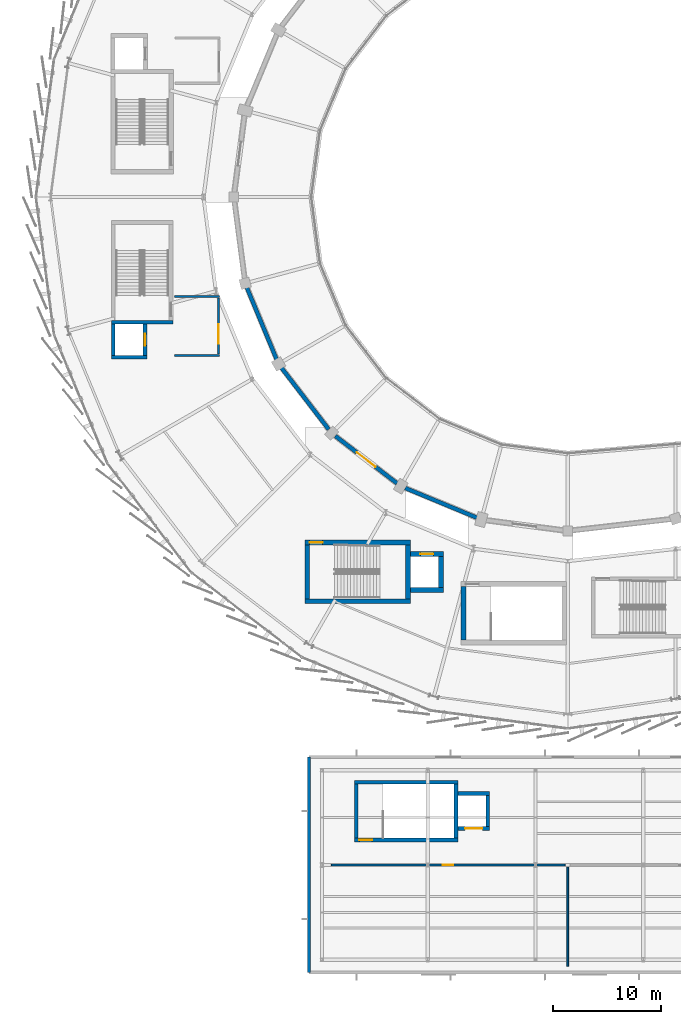
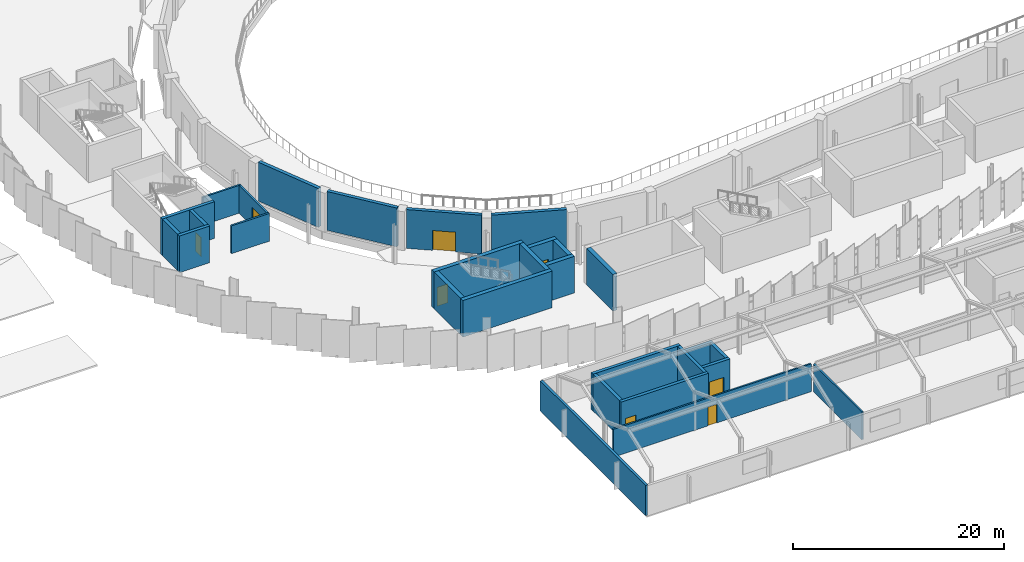
# One storey, part 74 of 87: 29 walls, 8 doors, 8 openings.
"""IFC4 building model written with IfcOpenShell, lengths in metres."""

from ifc_helpers import new_model, si_unit, direction, frame, frame_2d, origin, place, context, subcontext, project, spatial, rectangle, extrude, material, layer, layer_set, type_object, element, fill, save


model = new_model("IFC4")

# Units and contexts
model_context = context("Model", 3, precision=1e-05, world=origin(), true_north=direction((0.0, 1.0)))
body_context = subcontext(model_context, "Body", "Model", "MODEL_VIEW")
ifc_project = project(units=[si_unit("LENGTHUNIT", "METRE"), si_unit("AREAUNIT", "SQUARE_METRE"), si_unit("VOLUMEUNIT", "CUBIC_METRE"), si_unit("PLANEANGLEUNIT", "RADIAN"), si_unit("MASSUNIT", "GRAM", prefix="KILO")], contexts=[model_context])

# Site, building, storey
site_placement = place(None, origin())
site = spatial("IfcSite", under=ifc_project, at=site_placement, CompositionType="ELEMENT")
building_placement = place(site_placement, origin())
building = spatial("IfcBuilding", under=site, at=building_placement, Name="Sohan Crest Arena", CompositionType="ELEMENT")
storey_placement = place(building_placement, frame((0.0, 0.0, 18.0)))
storey = spatial("IfcBuildingStorey", under=building, at=storey_placement, Name="L04", CompositionType="ELEMENT", Elevation=18.0)

# Walls
ifc_material_1 = material(Name="Clinker brick and ceramic mosaic envelope wall", Category="masonry")
ifc_layer_1 = layer(ifc_material_1, 0.280029296875, Name="Clinker brick and ceramic mosaic envelope wall")
ifc_layer_set_1 = layer_set([ifc_layer_1], Name="Clinker brick and ceramic mosaic envelope wall")
wall_type_1 = type_object("IfcWallType", Name="WAL-EW02", PredefinedType="SOLIDWALL", material=ifc_layer_set_1)
wall_1_placement = place(storey_placement, frame((74.0, 26.0, 0.0), z_axis=(0.0, 0.0, 1.0), x_axis=(0.0, -1.0, 0.0)))
element("IfcWall", 1, at=wall_1_placement, inside=storey, type_object=wall_type_1, Name="External wall EW-145", PredefinedType="SOLIDWALL", context=body_context, shape_type="SweptSolid", body=[
    extrude(rectangle(XDim=20.0, YDim=0.280029296875, at=frame_2d((10.0, 0.0))), origin(), (0.0, 0.0, 1.0), 3.5),
])
ifc_material_2 = material(Name="Acoustic insulated bowl drum enclosure wall", Category="masonry")
ifc_layer_2 = layer(ifc_material_2, 0.3701171875, Name="Acoustic insulated bowl drum enclosure wall")
ifc_layer_set_2 = layer_set([ifc_layer_2], Name="Acoustic insulated bowl drum enclosure wall")
wall_type_2 = type_object("IfcWallType", Name="WAL-EW05", PredefinedType="SOLIDWALL", material=ifc_layer_set_2)
wall_2_placement = place(storey_placement, frame((68.22412109375, 69.570068359375, 0.0), z_axis=(0.0, 0.0, 1.0), x_axis=(0.382807189089, -0.923828261086, 0.0)))
element("IfcWall", 2, at=wall_2_placement, inside=storey, type_object=wall_type_2, Name="Acoustic bowl drum wall BW-L04-08", PredefinedType="SOLIDWALL", context=body_context, shape_type="SweptSolid", body=[
    extrude(rectangle(XDim=7.21240234375, YDim=0.3701171875, at=frame_2d((3.606201171875, 0.0))), origin(), (0.0, 0.0, 1.0), 4.5),
])
wall_3_placement = place(storey_placement, frame((71.4208984375, 62.15087890625, 0.0), z_axis=(0.0, 0.0, 1.0), x_axis=(0.608807390719, -0.793318070515, 0.0)))
element("IfcWall", 3, at=wall_3_placement, inside=storey, type_object=wall_type_2, Name="Acoustic bowl drum wall BW-L04-09", PredefinedType="SOLIDWALL", context=body_context, shape_type="SweptSolid", body=[
    extrude(rectangle(XDim=7.212646484375, YDim=0.3701171875, at=frame_2d((3.6064453125, 0.0))), origin(), (0.0, 0.0, 1.0), 4.5),
])

# Wall, opening, door
wall_4_placement = place(storey_placement, frame((76.428955078125, 55.81201171875, 0.0), z_axis=(0.0, 0.0, 1.0), x_axis=(0.793318070515, -0.608807390719, 0.0)))
wall_4 = element("IfcWall", 4, at=wall_4_placement, inside=storey, type_object=wall_type_2, Name="Acoustic bowl drum wall BW-L04-10", PredefinedType="SOLIDWALL", context=body_context, shape_type="SweptSolid", body=[
    extrude(rectangle(XDim=7.212646484375, YDim=0.3701171875, at=frame_2d((3.6064453125, 0.0))), origin(), (0.0, 0.0, 1.0), 4.5),
])
opening_1_placement = place(wall_4_placement, frame((2.506103515625, 0.0, 0.0)))
opening_1 = element("IfcOpeningElement", 5, at=opening_1_placement, cuts=wall_4, Name="Opening VD-L04-10", PredefinedType="OPENING", context=body_context, shape_type="SweptSolid", body=[
    extrude(rectangle(XDim=2.199951171875, YDim=2.300048828125, at=frame_2d((1.10009765625, 1.14990234375))), frame((0.0, 0.195068359375, 0.0), z_axis=(0.0, -1.0, 0.0), x_axis=(1.0, 0.0, 0.0)), (0.0, 0.0, 1.0), 0.39013671875),
])
ifc_material_3 = material(Name="Fire-rated steel double escape door", Category="steel")
door_type_1 = type_object("IfcDoorType", Name="DR-FD01", OperationType="DOUBLE_DOOR_SINGLE_SWING", PredefinedType="DOOR", material=ifc_material_3)
door_1_placement = place(opening_1_placement, origin())
door_1 = element("IfcDoor", 6, at=door_1_placement, inside=storey, type_object=door_type_1, Name="Bowl vomitory portal fire door VD-L04-10", OperationType="DOUBLE_DOOR_SINGLE_SWING", OverallHeight=2.300048828125, OverallWidth=2.199951171875, PredefinedType="DOOR", context=body_context, shape_type="SweptSolid", body=[
    extrude(rectangle(XDim=2.199951171875, YDim=2.300048828125, at=frame_2d((1.10009765625, 1.14990234375))), frame((0.0, 0.02490234375, 0.0), z_axis=(0.0, -1.0, 0.0), x_axis=(1.0, 0.0, 0.0)), (0.0, 0.0, 1.0), 0.050048828125),
])
fill(opening_1, door_1)

# Walls
wall_5_placement = place(storey_placement, frame((82.906982421875, 50.985107421875, 0.0), z_axis=(0.0, 0.0, 1.0), x_axis=(0.923828261086, -0.382807189089, 0.0)))
element("IfcWall", 7, at=wall_5_placement, inside=storey, type_object=wall_type_2, Name="Acoustic bowl drum wall BW-L04-11", PredefinedType="SOLIDWALL", context=body_context, shape_type="SweptSolid", body=[
    extrude(rectangle(XDim=7.21240234375, YDim=0.3701171875, at=frame_2d((3.606201171875, 0.0))), origin(), (0.0, 0.0, 1.0), 4.5),
])
ifc_material_4 = material(Name="Fire-rated masonry blockwork compartment wall", Category="masonry")
ifc_layer_3 = layer(ifc_material_4, 0.199951171875, Name="Fire-rated masonry blockwork compartment wall")
ifc_layer_set_3 = layer_set([ifc_layer_3], Name="Fire-rated masonry blockwork compartment wall")
wall_type_3 = type_object("IfcWallType", Name="WAL-FW01", PredefinedType="PARTITIONING", material=ifc_layer_set_3)
for number, where, z_axis, x_axis, name in (
    (8, (61.489990234375, 63.300048828125, 0.0), (0.0, 0.0, 1.0), (1.0, 0.0, 0.0), "Interior partition wall PW-0058"),
    (9, (61.489990234375, 68.75, 0.0), (0.0, 0.0, 1.0), (1.0, 0.0, 0.0), "Interior partition wall PW-0059"),
):
    element("IfcWall", number, at=place(storey_placement, frame(where, z_axis=z_axis, x_axis=x_axis)), inside=storey, type_object=wall_type_3, Name=name, PredefinedType="PARTITIONING", context=body_context, shape_type="SweptSolid", body=[
        extrude(rectangle(XDim=4.179931640625, YDim=0.199951171875, at=frame_2d((2.08984375, 0.0))), origin(), (0.0, 0.0, 1.0), 3.219970703125),
    ])

# Wall, opening, door
wall_6_placement = place(storey_placement, frame((65.570068359375, 63.419921875, 0.0), z_axis=(0.0, 0.0, 1.0), x_axis=(0.0, 1.0, 0.0)))
wall_6 = element("IfcWall", 10, at=wall_6_placement, inside=storey, type_object=wall_type_3, Name="Interior partition wall PW-0060", PredefinedType="PARTITIONING", context=body_context, shape_type="SweptSolid", body=[
    extrude(rectangle(XDim=5.2099609375, YDim=0.199951171875, at=frame_2d((2.60498046875, 0.0))), origin(), (0.0, 0.0, 1.0), 3.219970703125),
])
opening_2_placement = place(wall_6_placement, frame((0.949951171875, 0.0, 0.0)))
opening_2 = element("IfcOpeningElement", 11, at=opening_2_placement, cuts=wall_6, Name="Opening FFL-0018", PredefinedType="OPENING", context=body_context, shape_type="SweptSolid", body=[
    extrude(rectangle(XDim=1.800048828125, YDim=2.199951171875, at=frame_2d((0.89990234375, 1.10009765625))), frame((0.0, 0.10986328125, 0.0), z_axis=(0.0, -1.0, 0.0), x_axis=(1.0, 0.0, 0.0)), (0.0, 0.0, 1.0), 0.219970703125),
])
ifc_material_5 = material(Name="Fire-rated timber-faced lobby double door", Category="wood")
door_type_2 = type_object("IfcDoorType", Name="DR-FD03", OperationType="DOUBLE_DOOR_SINGLE_SWING", PredefinedType="DOOR", material=ifc_material_5)
door_2_placement = place(opening_2_placement, origin())
door_2 = element("IfcDoor", 12, at=door_2_placement, inside=storey, type_object=door_type_2, Name="Firefighting lift lobby door FL01 FFL-0018", OperationType="DOUBLE_DOOR_SINGLE_SWING", OverallHeight=2.199951171875, OverallWidth=1.800048828125, PredefinedType="DOOR", context=body_context, shape_type="SweptSolid", body=[
    extrude(rectangle(XDim=1.800048828125, YDim=2.199951171875, at=frame_2d((0.89990234375, 1.10009765625))), frame((0.0, 0.02490234375, 0.0), z_axis=(0.0, -1.0, 0.0), x_axis=(1.0, 0.0, 0.0)), (0.0, 0.0, 1.0), 0.050048828125),
])
fill(opening_2, door_2)

ifc_material_6 = material(Name="Back-of-house masonry room partition", Category="masonry")
ifc_layer_4 = layer(ifc_material_6, 0.179931640625, Name="Back-of-house masonry room partition")
ifc_layer_set_4 = layer_set([ifc_layer_4], Name="Back-of-house masonry room partition")
wall_type_4 = type_object("IfcWallType", Name="WAL-PW05", PredefinedType="PARTITIONING", material=ifc_layer_set_4)
wall_7_placement = place(storey_placement, frame((76.050048828125, 16.0, 0.0), z_axis=(0.0, 0.0, 1.0), x_axis=(1.0, 0.0, 0.0)))
wall_7 = element("IfcWall", 13, at=wall_7_placement, inside=storey, type_object=wall_type_4, Name="Interior partition wall PW-0939", PredefinedType="PARTITIONING", context=body_context, shape_type="SweptSolid", body=[
    extrude(rectangle(XDim=21.699951171875, YDim=0.179931640625, at=frame_2d((10.85009765625, 0.0))), origin(), (0.0, 0.0, 1.0), 3.219970703125),
])
opening_3_placement = place(wall_7_placement, frame((10.360107421875, 0.0, 0.0)))
opening_3 = element("IfcOpeningElement", 14, at=opening_3_placement, cuts=wall_7, Name="Opening V5D-0288", PredefinedType="OPENING", context=body_context, shape_type="SweptSolid", body=[
    extrude(rectangle(XDim=0.97998046875, YDim=2.14990234375, at=frame_2d((0.489990234375, 1.074951171875))), frame((0.0, 0.099853515625, 0.0), z_axis=(0.0, -1.0, 0.0), x_axis=(1.0, 0.0, 0.0)), (0.0, 0.0, 1.0), 0.199951171875),
])
ifc_material_7 = material(Name="Fire-rated plant and store room door", Category="wood")
door_type_3 = type_object("IfcDoorType", Name="DR-FD06", OperationType="NOTDEFINED", PredefinedType="DOOR", material=ifc_material_7)
door_3_placement = place(opening_3_placement, origin())
door_3 = element("IfcDoor", 15, at=door_3_placement, inside=storey, type_object=door_type_3, Name="Acoustic Chiller Plant L04 door V5D-0288", OperationType="SINGLE_SWING_LEFT", OverallHeight=2.14990234375, OverallWidth=0.97998046875, PredefinedType="DOOR", context=body_context, shape_type="SweptSolid", body=[
    extrude(rectangle(XDim=0.97998046875, YDim=2.14990234375, at=frame_2d((0.489990234375, 1.074951171875))), frame((0.0, 0.02490234375, 0.0), z_axis=(0.0, -1.0, 0.0), x_axis=(1.0, 0.0, 0.0)), (0.0, 0.0, 1.0), 0.050048828125),
])
fill(opening_3, door_3)

# Walls
wall_8_placement = place(storey_placement, frame((98.0, 6.60009765625, 0.0), z_axis=(0.0, 0.0, 1.0), x_axis=(0.0, 1.0, 0.0)))
element("IfcWall", 16, at=wall_8_placement, inside=storey, type_object=wall_type_4, Name="Interior partition wall PW-0940", PredefinedType="PARTITIONING", context=body_context, shape_type="SweptSolid", body=[
    extrude(rectangle(XDim=9.199951171875, YDim=0.179931640625, at=frame_2d((4.60009765625, 0.0))), origin(), (0.0, 0.0, 1.0), 3.219970703125),
])
ifc_material_8 = material(Name="Concrete C40/50", Category="concrete")
ifc_layer_5 = layer(ifc_material_8, 0.35009765625, Name="Concrete C40/50")
ifc_layer_set_5 = layer_set([ifc_layer_5], Name="Concrete C40/50")
wall_type_5 = type_object("IfcWallType", Name="WAL-SW02", PredefinedType="SHEAR", material=ifc_layer_set_5)
wall_9_placement = place(storey_placement, frame((55.64990234375, 66.375, 0.0), z_axis=(0.0, 0.0, 1.0), x_axis=(1.0, 0.0, 0.0)))
element("IfcWall", 17, at=wall_9_placement, inside=storey, type_object=wall_type_5, Name="Core shear wall SW-0051", PredefinedType="SHEAR", context=body_context, shape_type="SweptSolid", body=[
    extrude(rectangle(XDim=5.7001953125, YDim=0.35009765625, at=frame_2d((2.85009765625, 0.0))), origin(), (0.0, 0.0, 1.0), 4.25),
])
wall_10_placement = place(storey_placement, frame((55.824951171875, 63.300048828125, 0.0), z_axis=(0.0, 0.0, 1.0), x_axis=(0.0, 1.0, 0.0)))
element("IfcWall", 18, at=wall_10_placement, inside=storey, type_object=wall_type_5, Name="Core shear wall SW-0055", PredefinedType="SHEAR", context=body_context, shape_type="SweptSolid", body=[
    extrude(rectangle(XDim=2.89990234375, YDim=0.35009765625, at=frame_2d((1.449951171875, 0.0))), origin(), (0.0, 0.0, 1.0), 4.25),
])

# Wall, opening, door
wall_11_placement = place(storey_placement, frame((58.77490234375, 63.300048828125, 0.0), z_axis=(0.0, 0.0, 1.0), x_axis=(0.0, 1.0, 0.0)))
wall_11 = element("IfcWall", 19, at=wall_11_placement, inside=storey, type_object=wall_type_5, Name="Core shear wall SW-0056", PredefinedType="SHEAR", context=body_context, shape_type="SweptSolid", body=[
    extrude(rectangle(XDim=2.89990234375, YDim=0.35009765625, at=frame_2d((1.449951171875, 0.0))), origin(), (0.0, 0.0, 1.0), 4.25),
])
opening_4_placement = place(wall_11_placement, frame((0.89990234375, 0.0, 0.0)))
opening_4 = element("IfcOpeningElement", 20, at=opening_4_placement, cuts=wall_11, Name="Opening LD-FL01-L04", PredefinedType="OPENING", context=body_context, shape_type="SweptSolid", body=[
    extrude(rectangle(XDim=1.10009765625, YDim=2.199951171875, at=frame_2d((0.550048828125, 1.10009765625))), frame((0.0, 0.18505859375, 0.0), z_axis=(0.0, -1.0, 0.0), x_axis=(1.0, 0.0, 0.0)), (0.0, 0.0, 1.0), 0.3701171875),
])
ifc_material_9 = material(Name="Stainless steel firefighting lift landing door", Category="steel")
door_type_4 = type_object("IfcDoorType", Name="DR-LD01", OperationType="SLIDING_TO_LEFT", PredefinedType="DOOR", material=ifc_material_9)
door_4_placement = place(opening_4_placement, origin())
door_4 = element("IfcDoor", 21, at=door_4_placement, inside=storey, type_object=door_type_4, Name="Sliding lift landing door LD-FL01-L04", OperationType="SLIDING_TO_LEFT", OverallHeight=2.199951171875, OverallWidth=1.10009765625, PredefinedType="DOOR", context=body_context, shape_type="SweptSolid", body=[
    extrude(rectangle(XDim=1.10009765625, YDim=2.199951171875, at=frame_2d((0.550048828125, 1.10009765625))), frame((0.0, 0.02490234375, 0.0), z_axis=(0.0, -1.0, 0.0), x_axis=(1.0, 0.0, 0.0)), (0.0, 0.0, 1.0), 0.050048828125),
])
fill(opening_4, door_4)

# Walls
wall_12_placement = place(storey_placement, frame((55.64990234375, 63.125, 0.0), z_axis=(0.0, 0.0, 1.0), x_axis=(1.0, 0.0, 0.0)))
element("IfcWall", 22, at=wall_12_placement, inside=storey, type_object=wall_type_5, Name="Core shear wall SW-0057", PredefinedType="SHEAR", context=body_context, shape_type="SweptSolid", body=[
    extrude(rectangle(XDim=3.300048828125, YDim=0.35009765625, at=frame_2d((1.64990234375, 0.0))), origin(), (0.0, 0.0, 1.0), 4.25),
])
for number, where, z_axis, x_axis, name in (
    (23, (78.375, 18.5, 0.0), (0.0, 0.0, 1.0), (0.0, 1.0, 0.0), "Core shear wall SW-0684"),
    (24, (87.625, 18.5, 0.0), (0.0, 0.0, 1.0), (0.0, 1.0, 0.0), "Core shear wall SW-0685"),
):
    element("IfcWall", number, at=place(storey_placement, frame(where, z_axis=z_axis, x_axis=x_axis)), inside=storey, type_object=wall_type_5, Name=name, PredefinedType="SHEAR", context=body_context, shape_type="SweptSolid", body=[
        extrude(rectangle(XDim=5.0, YDim=0.35009765625, at=frame_2d((2.5, 0.0))), origin(), (0.0, 0.0, 1.0), 4.260009765625),
    ])

# Wall, opening, door
wall_13_placement = place(storey_placement, frame((78.199951171875, 18.324951171875, 0.0), z_axis=(0.0, 0.0, 1.0), x_axis=(1.0, 0.0, 0.0)))
wall_13 = element("IfcWall", 25, at=wall_13_placement, inside=storey, type_object=wall_type_5, Name="Core shear wall SW-0686", PredefinedType="SHEAR", context=body_context, shape_type="SweptSolid", body=[
    extrude(rectangle(XDim=9.60009765625, YDim=0.35009765625, at=frame_2d((4.800048828125, 0.0))), origin(), (0.0, 0.0, 1.0), 4.260009765625),
])
opening_5_placement = place(wall_13_placement, frame((0.449951171875, 0.0, 0.0)))
opening_5 = element("IfcOpeningElement", 26, at=opening_5_placement, cuts=wall_13, Name="Opening SD-0185", PredefinedType="OPENING", context=body_context, shape_type="SweptSolid", body=[
    extrude(rectangle(XDim=1.199951171875, YDim=2.199951171875, at=frame_2d((0.60009765625, 1.10009765625))), frame((0.0, 0.18505859375, 0.0), z_axis=(0.0, -1.0, 0.0), x_axis=(1.0, 0.0, 0.0)), (0.0, 0.0, 1.0), 0.3701171875),
])
ifc_material_10 = material(Name="Fire-rated steel stair and lobby door", Category="steel")
door_type_5 = type_object("IfcDoorType", Name="DR-FD04", OperationType="NOTDEFINED", PredefinedType="DOOR", material=ifc_material_10)
door_5_placement = place(opening_5_placement, frame((1.199951171875, 0.0, 0.0), z_axis=(0.0, 0.0, 1.0), x_axis=(-1.0, 0.0, 0.0)))
door_5 = element("IfcDoor", 27, at=door_5_placement, inside=storey, type_object=door_type_5, Name="Protected stair door SD-0185", OperationType="SINGLE_SWING_RIGHT", OverallHeight=2.199951171875, OverallWidth=1.199951171875, PredefinedType="DOOR", context=body_context, shape_type="SweptSolid", body=[
    extrude(rectangle(XDim=1.199951171875, YDim=2.199951171875, at=frame_2d((0.60009765625, 1.10009765625))), frame((0.0, 0.02490234375, 0.0), z_axis=(0.0, -1.0, 0.0), x_axis=(1.0, 0.0, 0.0)), (0.0, 0.0, 1.0), 0.050048828125),
])
fill(opening_5, door_5)

# Walls
wall_14_placement = place(storey_placement, frame((78.199951171875, 23.675048828125, 0.0), z_axis=(0.0, 0.0, 1.0), x_axis=(1.0, 0.0, 0.0)))
element("IfcWall", 28, at=wall_14_placement, inside=storey, type_object=wall_type_5, Name="Core shear wall SW-0687", PredefinedType="SHEAR", context=body_context, shape_type="SweptSolid", body=[
    extrude(rectangle(XDim=9.60009765625, YDim=0.35009765625, at=frame_2d((4.800048828125, 0.0))), origin(), (0.0, 0.0, 1.0), 4.260009765625),
])
wall_15_placement = place(storey_placement, frame((90.574951171875, 19.550048828125, 0.0), z_axis=(0.0, 0.0, 1.0), x_axis=(0.0, 1.0, 0.0)))
element("IfcWall", 29, at=wall_15_placement, inside=storey, type_object=wall_type_5, Name="Core shear wall SW-0688", PredefinedType="SHEAR", context=body_context, shape_type="SweptSolid", body=[
    extrude(rectangle(XDim=2.89990234375, YDim=0.35009765625, at=frame_2d((1.449951171875, 0.0))), origin(), (0.0, 0.0, 1.0), 4.260009765625),
])

# Wall, opening, door
wall_16_placement = place(storey_placement, frame((87.800048828125, 19.375, 0.0), z_axis=(0.0, 0.0, 1.0), x_axis=(1.0, 0.0, 0.0)))
wall_16 = element("IfcWall", 30, at=wall_16_placement, inside=storey, type_object=wall_type_5, Name="Core shear wall SW-0689", PredefinedType="SHEAR", context=body_context, shape_type="SweptSolid", body=[
    extrude(rectangle(XDim=2.949951171875, YDim=0.35009765625, at=frame_2d((1.47509765625, 0.0))), origin(), (0.0, 0.0, 1.0), 4.260009765625),
])
opening_6_placement = place(wall_16_placement, frame((0.675048828125, 0.0, 0.0)))
opening_6 = element("IfcOpeningElement", 31, at=opening_6_placement, cuts=wall_16, Name="Opening LD-GF01-L04", PredefinedType="OPENING", context=body_context, shape_type="SweptSolid", body=[
    extrude(rectangle(XDim=1.60009765625, YDim=2.35009765625, at=frame_2d((0.800048828125, 1.175048828125))), frame((0.0, 0.18505859375, 0.0), z_axis=(0.0, -1.0, 0.0), x_axis=(1.0, 0.0, 0.0)), (0.0, 0.0, 1.0), 0.3701171875),
])
ifc_material_11 = material(Name="Stainless steel goods lift landing door", Category="steel")
door_type_6 = type_object("IfcDoorType", Name="DR-LD03", OperationType="SLIDING_TO_LEFT", PredefinedType="DOOR", material=ifc_material_11)
door_6_placement = place(opening_6_placement, origin())
door_6 = element("IfcDoor", 32, at=door_6_placement, inside=storey, type_object=door_type_6, Name="Sliding lift landing door LD-GF01-L04", OperationType="SLIDING_TO_LEFT", OverallHeight=2.35009765625, OverallWidth=1.60009765625, PredefinedType="DOOR", context=body_context, shape_type="SweptSolid", body=[
    extrude(rectangle(XDim=1.60009765625, YDim=2.35009765625, at=frame_2d((0.800048828125, 1.175048828125))), frame((0.0, 0.02490234375, 0.0), z_axis=(0.0, -1.0, 0.0), x_axis=(1.0, 0.0, 0.0)), (0.0, 0.0, 1.0), 0.050048828125),
])
fill(opening_6, door_6)

# Walls
wall_17_placement = place(storey_placement, frame((87.800048828125, 22.625, 0.0), z_axis=(0.0, 0.0, 1.0), x_axis=(1.0, 0.0, 0.0)))
element("IfcWall", 33, at=wall_17_placement, inside=storey, type_object=wall_type_5, Name="Core shear wall SW-0690", PredefinedType="SHEAR", context=body_context, shape_type="SweptSolid", body=[
    extrude(rectangle(XDim=2.949951171875, YDim=0.35009765625, at=frame_2d((1.47509765625, 0.0))), origin(), (0.0, 0.0, 1.0), 4.260009765625),
])
ifc_layer_6 = layer(ifc_material_8, 0.449951171875, Name="Concrete C40/50")
ifc_layer_set_6 = layer_set([ifc_layer_6], Name="Concrete C40/50")
wall_type_6 = type_object("IfcWallType", Name="WAL-SW04", PredefinedType="SHEAR", material=ifc_layer_set_6)
for number, where, z_axis, x_axis, name in (
    (34, (73.824951171875, 40.699951171875, 0.0), (0.0, 0.0, 1.0), (0.0, 1.0, 0.0), "Core shear wall SW-0176"),
    (35, (83.175048828125, 40.699951171875, 0.0), (0.0, 0.0, 1.0), (0.0, 1.0, 0.0), "Core shear wall SW-0177"),
):
    element("IfcWall", number, at=place(storey_placement, frame(where, z_axis=z_axis, x_axis=x_axis)), inside=storey, type_object=wall_type_6, Name=name, PredefinedType="SHEAR", context=body_context, shape_type="SweptSolid", body=[
        extrude(rectangle(XDim=5.0, YDim=0.449951171875, at=frame_2d((2.5, 0.0))), origin(), (0.0, 0.0, 1.0), 4.25),
    ])
wall_18_placement = place(storey_placement, frame((73.60009765625, 40.47509765625, 0.0), z_axis=(0.0, 0.0, 1.0), x_axis=(1.0, 0.0, 0.0)))
element("IfcWall", 36, at=wall_18_placement, inside=storey, type_object=wall_type_6, Name="Core shear wall SW-0178", PredefinedType="SHEAR", context=body_context, shape_type="SweptSolid", body=[
    extrude(rectangle(XDim=9.7998046875, YDim=0.449951171875, at=frame_2d((4.89990234375, 0.0))), origin(), (0.0, 0.0, 1.0), 4.25),
])

# Wall, opening, door
wall_19_placement = place(storey_placement, frame((73.60009765625, 45.925048828125, 0.0), z_axis=(0.0, 0.0, 1.0), x_axis=(1.0, 0.0, 0.0)))
wall_19 = element("IfcWall", 37, at=wall_19_placement, inside=storey, type_object=wall_type_6, Name="Core shear wall SW-0179", PredefinedType="SHEAR", context=body_context, shape_type="SweptSolid", body=[
    extrude(rectangle(XDim=9.7998046875, YDim=0.449951171875, at=frame_2d((4.89990234375, 0.0))), origin(), (0.0, 0.0, 1.0), 4.25),
])
opening_7_placement = place(wall_19_placement, frame((0.449951171875, 0.0, 0.0)))
opening_7 = element("IfcOpeningElement", 38, at=opening_7_placement, cuts=wall_19, Name="Opening SD-0053", PredefinedType="OPENING", context=body_context, shape_type="SweptSolid", body=[
    extrude(rectangle(XDim=1.199951171875, YDim=2.199951171875, at=frame_2d((0.60009765625, 1.10009765625))), frame((0.0, 0.23486328125, 0.0), z_axis=(0.0, -1.0, 0.0), x_axis=(1.0, 0.0, 0.0)), (0.0, 0.0, 1.0), 0.469970703125),
])
door_7_placement = place(opening_7_placement, origin())
door_7 = element("IfcDoor", 39, at=door_7_placement, inside=storey, type_object=door_type_5, Name="Protected stair door SD-0053", OperationType="SINGLE_SWING_RIGHT", OverallHeight=2.199951171875, OverallWidth=1.199951171875, PredefinedType="DOOR", context=body_context, shape_type="SweptSolid", body=[
    extrude(rectangle(XDim=1.199951171875, YDim=2.199951171875, at=frame_2d((0.60009765625, 1.10009765625))), frame((0.0, 0.02490234375, 0.0), z_axis=(0.0, -1.0, 0.0), x_axis=(1.0, 0.0, 0.0)), (0.0, 0.0, 1.0), 0.050048828125),
])
fill(opening_7, door_7)

# Walls
wall_20_placement = place(storey_placement, frame((86.22509765625, 41.75, 0.0), z_axis=(0.0, 0.0, 1.0), x_axis=(0.0, 1.0, 0.0)))
element("IfcWall", 40, at=wall_20_placement, inside=storey, type_object=wall_type_6, Name="Core shear wall SW-0180", PredefinedType="SHEAR", context=body_context, shape_type="SweptSolid", body=[
    extrude(rectangle(XDim=2.89990234375, YDim=0.449951171875, at=frame_2d((1.449951171875, 0.0))), origin(), (0.0, 0.0, 1.0), 4.25),
])
wall_21_placement = place(storey_placement, frame((83.39990234375, 41.52490234375, 0.0), z_axis=(0.0, 0.0, 1.0), x_axis=(1.0, 0.0, 0.0)))
element("IfcWall", 41, at=wall_21_placement, inside=storey, type_object=wall_type_6, Name="Core shear wall SW-0181", PredefinedType="SHEAR", context=body_context, shape_type="SweptSolid", body=[
    extrude(rectangle(XDim=3.050048828125, YDim=0.449951171875, at=frame_2d((1.52490234375, 0.0))), origin(), (0.0, 0.0, 1.0), 4.25),
])

# Wall, opening, door
wall_22_placement = place(storey_placement, frame((83.39990234375, 44.875, 0.0), z_axis=(0.0, 0.0, 1.0), x_axis=(1.0, 0.0, 0.0)))
wall_22 = element("IfcWall", 42, at=wall_22_placement, inside=storey, type_object=wall_type_6, Name="Core shear wall SW-0182", PredefinedType="SHEAR", context=body_context, shape_type="SweptSolid", body=[
    extrude(rectangle(XDim=3.050048828125, YDim=0.449951171875, at=frame_2d((1.52490234375, 0.0))), origin(), (0.0, 0.0, 1.0), 4.25),
])
opening_8_placement = place(wall_22_placement, frame((0.925048828125, 0.0, 0.0)))
opening_8 = element("IfcOpeningElement", 43, at=opening_8_placement, cuts=wall_22, Name="Opening LD-LP01-L04", PredefinedType="OPENING", context=body_context, shape_type="SweptSolid", body=[
    extrude(rectangle(XDim=1.199951171875, YDim=2.199951171875, at=frame_2d((0.60009765625, 1.10009765625))), frame((0.0, 0.23486328125, 0.0), z_axis=(0.0, -1.0, 0.0), x_axis=(1.0, 0.0, 0.0)), (0.0, 0.0, 1.0), 0.469970703125),
])
ifc_material_12 = material(Name="Stainless steel passenger lift landing door", Category="steel")
door_type_7 = type_object("IfcDoorType", Name="DR-LD02", OperationType="SLIDING_TO_LEFT", PredefinedType="DOOR", material=ifc_material_12)
door_8_placement = place(opening_8_placement, origin())
door_8 = element("IfcDoor", 44, at=door_8_placement, inside=storey, type_object=door_type_7, Name="Sliding lift landing door LD-LP01-L04", OperationType="SLIDING_TO_LEFT", OverallHeight=2.199951171875, OverallWidth=1.199951171875, PredefinedType="DOOR", context=body_context, shape_type="SweptSolid", body=[
    extrude(rectangle(XDim=1.199951171875, YDim=2.199951171875, at=frame_2d((0.60009765625, 1.10009765625))), frame((0.0, 0.02490234375, 0.0), z_axis=(0.0, -1.0, 0.0), x_axis=(1.0, 0.0, 0.0)), (0.0, 0.0, 1.0), 0.050048828125),
])
fill(opening_8, door_8)

# Wall
wall_23_placement = place(storey_placement, frame((88.324951171875, 36.860107421875, 0.0), z_axis=(0.0, 0.0, 1.0), x_axis=(0.0, 1.0, 0.0)))
element("IfcWall", 45, at=wall_23_placement, inside=storey, type_object=wall_type_6, Name="Core shear wall SW-0753", PredefinedType="SHEAR", context=body_context, shape_type="SweptSolid", body=[
    extrude(rectangle(XDim=5.0, YDim=0.449951171875, at=frame_2d((2.5, 0.0))), origin(), (0.0, 0.0, 1.0), 4.25),
])

save(model, "model.ifc")
